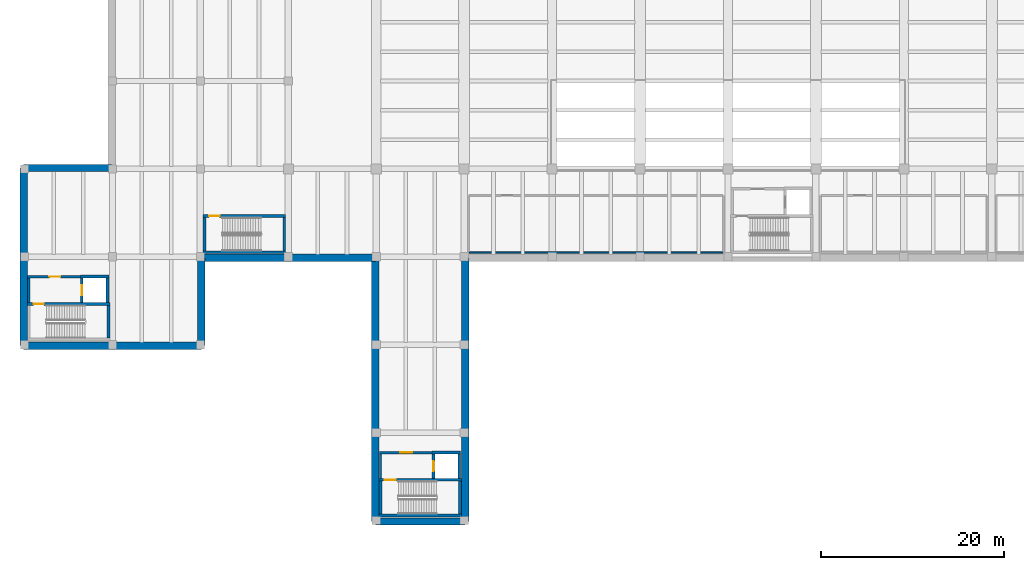
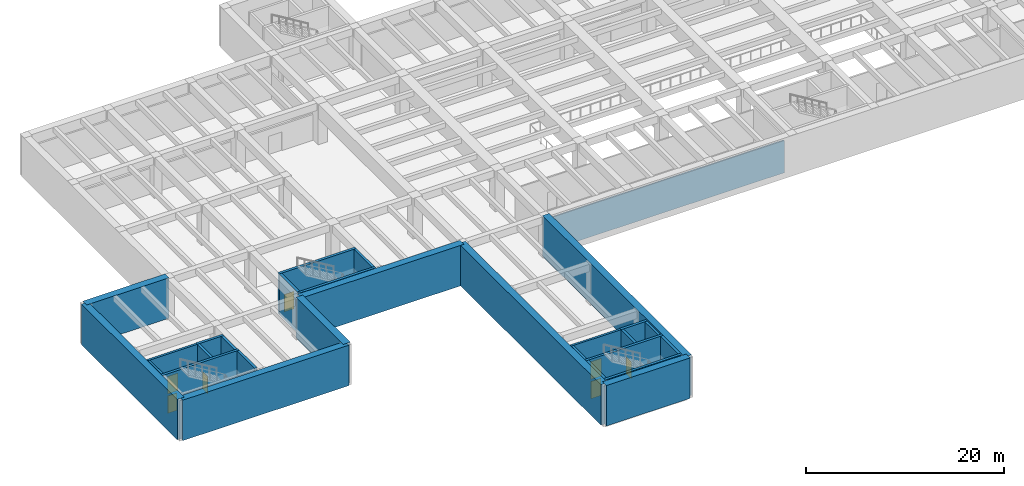
# One storey, part 4 of 19: 29 walls, 7 doors, 7 openings.
"""IFC4 building model written with IfcOpenShell, lengths in metres."""

from ifc_helpers import new_model, si_unit, direction, frame, frame_2d, origin, place, context, subcontext, project, spatial, rectangle, extrude, material, layer, layer_set, type_object, element, fill, save


model = new_model("IFC4")

# Units and contexts
model_context = context("Model", 3, precision=1e-05, world=origin(), true_north=direction((0.0, 1.0)))
body_context = subcontext(model_context, "Body", "Model", "MODEL_VIEW")
ifc_project = project(units=[si_unit("LENGTHUNIT", "METRE"), si_unit("AREAUNIT", "SQUARE_METRE"), si_unit("VOLUMEUNIT", "CUBIC_METRE"), si_unit("PLANEANGLEUNIT", "RADIAN"), si_unit("MASSUNIT", "GRAM", prefix="KILO")], contexts=[model_context])

# Site, building, storey
site_placement = place(None, origin())
site = spatial("IfcSite", under=ifc_project, at=site_placement, CompositionType="ELEMENT")
building_placement = place(site_placement, origin())
building = spatial("IfcBuilding", under=site, at=building_placement, Name="Coralgate Yard Interchange", CompositionType="ELEMENT")
storey_placement = place(building_placement, frame((0.0, 0.0, -5.39990234375)))
storey = spatial("IfcBuildingStorey", under=building, at=storey_placement, Name="B1", CompositionType="ELEMENT", Elevation=-5.39990234375)

# Wall, opening, door
ifc_material_1 = material(Name="Concrete C40/50", Category="concrete")
ifc_layer_1 = layer(ifc_material_1, 0.300048828125)
ifc_layer_set_1 = layer_set([ifc_layer_1], Name="Concrete C40/50")
wall_type_1 = type_object("IfcWallType", Name="WAL-CW300", PredefinedType="SHEAR", material=ifc_layer_set_1)
wall_1_placement = place(storey_placement, frame((18.89990234375, 33.25, 0.0), z_axis=(0.0, 0.0, 1.0), x_axis=(-1.0, 0.0, 0.0)))
wall_1 = element("IfcWall", 1, at=wall_1_placement, inside=storey, type_object=wall_type_1, Name="C1 B1 stair north shear wall", PredefinedType="SHEAR", context=body_context, shape_type="SweptSolid", body=[
    extrude(rectangle(XDim=9.0, YDim=0.300048828125, at=frame_2d((4.5, 0.0))), origin(), (0.0, 0.0, 1.0), 5.0),
])
opening_1_placement = place(wall_1_placement, frame((7.199951171875, 0.0, 0.0)))
opening_1 = element("IfcOpeningElement", 2, at=opening_1_placement, cuts=wall_1, Name="Opening FD-1", PredefinedType="OPENING", context=body_context, shape_type="SweptSolid", body=[
    extrude(rectangle(XDim=1.10009765625, YDim=2.14990234375, at=frame_2d((0.550048828125, 1.074951171875))), frame((0.0, 0.159912109375, 0.0), z_axis=(0.0, -1.0, 0.0), x_axis=(1.0, 0.0, 0.0)), (0.0, 0.0, 1.0), 0.320068359375),
])
ifc_material_2 = material(Name="Powder-coated steel fire door assembly", Category="steel")
door_type_1 = type_object("IfcDoorType", Name="DOR-FD-1", OperationType="NOTDEFINED", PredefinedType="DOOR", material=ifc_material_2)
door_1_placement = place(opening_1_placement, frame((1.10009765625, 0.0, 0.0), z_axis=(0.0, 0.0, 1.0), x_axis=(-1.0, 0.0, 0.0)))
door_1 = element("IfcDoor", 3, at=door_1_placement, inside=storey, type_object=door_type_1, Name="C1 B1 stair fire door", OperationType="SINGLE_SWING_RIGHT", OverallHeight=2.14990234375, OverallWidth=1.10009765625, PredefinedType="DOOR", context=body_context, shape_type="SweptSolid", body=[
    extrude(rectangle(XDim=1.10009765625, YDim=2.14990234375, at=frame_2d((0.550048828125, 1.074951171875))), frame((0.0, 0.02490234375, 0.0), z_axis=(0.0, -1.0, 0.0), x_axis=(1.0, 0.0, 0.0)), (0.0, 0.0, 1.0), 0.050048828125),
])
fill(opening_1, door_1)

# Wall
wall_2_placement = place(storey_placement, frame((18.75, 33.10009765625, 0.0), z_axis=(0.0, 0.0, 1.0), x_axis=(0.0, -1.0, 0.0)))
element("IfcWall", 4, at=wall_2_placement, inside=storey, type_object=wall_type_1, Name="C1 B1 stair east shear wall", PredefinedType="SHEAR", context=body_context, shape_type="SweptSolid", body=[
    extrude(rectangle(XDim=3.580078125, YDim=0.300048828125, at=frame_2d((1.7900390625, 0.0))), origin(), (0.0, 0.0, 1.0), 5.0),
])

# Wall, opening, door
wall_3_placement = place(storey_placement, frame((15.85009765625, 36.10009765625, 0.0), z_axis=(0.0, 0.0, 1.0), x_axis=(0.0, -1.0, 0.0)))
wall_3 = element("IfcWall", 5, at=wall_3_placement, inside=storey, type_object=wall_type_1, Name="C1 B1 lift front shear wall", PredefinedType="SHEAR", context=body_context, shape_type="SweptSolid", body=[
    extrude(rectangle(XDim=2.7001953125, YDim=0.300048828125, at=frame_2d((1.35009765625, 0.0))), origin(), (0.0, 0.0, 1.0), 5.0),
])
opening_2_placement = place(wall_3_placement, frame((0.800048828125, 0.0, 0.0)))
opening_2 = element("IfcOpeningElement", 6, at=opening_2_placement, cuts=wall_3, Name="Opening LD-1", PredefinedType="OPENING", context=body_context, shape_type="SweptSolid", body=[
    extrude(rectangle(XDim=1.10009765625, YDim=2.10009765625, at=frame_2d((0.550048828125, 1.050048828125))), frame((0.0, 0.159912109375, 0.0), z_axis=(0.0, -1.0, 0.0), x_axis=(1.0, 0.0, 0.0)), (0.0, 0.0, 1.0), 0.320068359375),
])
ifc_material_3 = material(Name="Brushed stainless steel firefighting lift landing door", Category="steel")
door_type_2 = type_object("IfcDoorType", Name="DOR-LD-1", OperationType="DOUBLE_DOOR_SLIDING", PredefinedType="DOOR", material=ifc_material_3)
door_2_placement = place(opening_2_placement, frame((1.10009765625, 0.0, 0.0), z_axis=(0.0, 0.0, 1.0), x_axis=(-1.0, 0.0, 0.0)))
door_2 = element("IfcDoor", 7, at=door_2_placement, inside=storey, type_object=door_type_2, Name="FFL-01 B1 sliding lift landing door", OperationType="DOUBLE_DOOR_SLIDING", OverallHeight=2.10009765625, OverallWidth=1.10009765625, PredefinedType="DOOR", context=body_context, shape_type="SweptSolid", body=[
    extrude(rectangle(XDim=1.10009765625, YDim=2.10009765625, at=frame_2d((0.550048828125, 1.050048828125))), frame((0.0, 0.02490234375, 0.0), z_axis=(0.0, -1.0, 0.0), x_axis=(1.0, 0.0, 0.0)), (0.0, 0.0, 1.0), 0.050048828125),
])
fill(opening_2, door_2)

# Walls
wall_4_placement = place(storey_placement, frame((18.64990234375, 33.39990234375, 0.0), z_axis=(0.0, 0.0, 1.0), x_axis=(0.0, 1.0, 0.0)))
element("IfcWall", 8, at=wall_4_placement, inside=storey, type_object=wall_type_1, Name="C1 B1 lift rear shear wall", PredefinedType="SHEAR", context=body_context, shape_type="SweptSolid", body=[
    extrude(rectangle(XDim=2.7001953125, YDim=0.300048828125, at=frame_2d((1.35009765625, 0.0))), origin(), (0.0, 0.0, 1.0), 5.0),
])
wall_5_placement = place(storey_placement, frame((15.699951171875, 36.25, 0.0), z_axis=(0.0, 0.0, 1.0), x_axis=(1.0, 0.0, 0.0)))
element("IfcWall", 9, at=wall_5_placement, inside=storey, type_object=wall_type_1, Name="C1 B1 lift north shear wall", PredefinedType="SHEAR", context=body_context, shape_type="SweptSolid", body=[
    extrude(rectangle(XDim=3.10009765625, YDim=0.300048828125, at=frame_2d((1.550048828125, 0.0))), origin(), (0.0, 0.0, 1.0), 5.0),
])
wall_6_placement = place(storey_placement, frame((29.10009765625, 38.89990234375, 0.0), z_axis=(0.0, 0.0, 1.0), x_axis=(1.0, 0.0, 0.0)))
element("IfcWall", 10, at=wall_6_placement, inside=storey, type_object=wall_type_1, Name="C12 B1 stair south shear wall", PredefinedType="SHEAR", context=body_context, shape_type="SweptSolid", body=[
    extrude(rectangle(XDim=9.0, YDim=0.300048828125, at=frame_2d((4.5, 0.0))), origin(), (0.0, 0.0, 1.0), 5.0),
])

# Wall, opening, door
wall_7_placement = place(storey_placement, frame((38.10009765625, 42.85009765625, 0.0), z_axis=(0.0, 0.0, 1.0), x_axis=(-1.0, 0.0, 0.0)))
wall_7 = element("IfcWall", 11, at=wall_7_placement, inside=storey, type_object=wall_type_1, Name="C12 B1 stair north shear wall", PredefinedType="SHEAR", context=body_context, shape_type="SweptSolid", body=[
    extrude(rectangle(XDim=9.0, YDim=0.300048828125, at=frame_2d((4.5, 0.0))), origin(), (0.0, 0.0, 1.0), 5.0),
])
opening_3_placement = place(wall_7_placement, frame((7.199951171875, 0.0, 0.0)))
opening_3 = element("IfcOpeningElement", 12, at=opening_3_placement, cuts=wall_7, Name="Opening FD-1B", PredefinedType="OPENING", context=body_context, shape_type="SweptSolid", body=[
    extrude(rectangle(XDim=1.14990234375, YDim=2.14990234375, at=frame_2d((0.574951171875, 1.074951171875))), frame((0.0, 0.159912109375, 0.0), z_axis=(0.0, -1.0, 0.0), x_axis=(1.0, 0.0, 0.0)), (0.0, 0.0, 1.0), 0.320068359375),
])
door_type_3 = type_object("IfcDoorType", Name="DOR-FD-1B", OperationType="NOTDEFINED", PredefinedType="DOOR", material=ifc_material_2)
door_3_placement = place(opening_3_placement, frame((1.14990234375, 0.0, 0.0), z_axis=(0.0, 0.0, 1.0), x_axis=(-1.0, 0.0, 0.0)))
door_3 = element("IfcDoor", 13, at=door_3_placement, inside=storey, type_object=door_type_3, Name="C12 B1 stair fire door", OperationType="SINGLE_SWING_LEFT", OverallHeight=2.14990234375, OverallWidth=1.14990234375, PredefinedType="DOOR", context=body_context, shape_type="SweptSolid", body=[
    extrude(rectangle(XDim=1.14990234375, YDim=2.14990234375, at=frame_2d((0.574951171875, 1.074951171875))), frame((0.0, 0.02490234375, 0.0), z_axis=(0.0, -1.0, 0.0), x_axis=(1.0, 0.0, 0.0)), (0.0, 0.0, 1.0), 0.050048828125),
])
fill(opening_3, door_3)

# Walls
for number, where, z_axis, x_axis, name in (
    (14, (29.25, 39.050048828125, 0.0), (0.0, 0.0, 1.0), (0.0, 1.0, 0.0), "C12 B1 stair west shear wall"),
    (15, (37.949951171875, 42.699951171875, 0.0), (0.0, 0.0, 1.0), (0.0, -1.0, 0.0), "C12 B1 stair east shear wall"),
):
    element("IfcWall", number, at=place(storey_placement, frame(where, z_axis=z_axis, x_axis=x_axis)), inside=storey, type_object=wall_type_1, Name=name, PredefinedType="SHEAR", context=body_context, shape_type="SweptSolid", body=[
        extrude(rectangle(XDim=3.64990234375, YDim=0.300048828125, at=frame_2d((1.824951171875, 0.0))), origin(), (0.0, 0.0, 1.0), 5.0),
    ])
wall_8_placement = place(storey_placement, frame((48.300048828125, 10.169921875, 0.0), z_axis=(0.0, 0.0, 1.0), x_axis=(1.0, 0.0, 0.0)))
element("IfcWall", 16, at=wall_8_placement, inside=storey, type_object=wall_type_1, Name="C2 B1 stair south shear wall", PredefinedType="SHEAR", context=body_context, shape_type="SweptSolid", body=[
    extrude(rectangle(XDim=9.0, YDim=0.300048828125, at=frame_2d((4.5, 0.0))), origin(), (0.0, 0.0, 1.0), 5.0),
])

# Wall, opening, door
wall_9_placement = place(storey_placement, frame((57.300048828125, 14.050048828125, 0.0), z_axis=(0.0, 0.0, 1.0), x_axis=(-1.0, 0.0, 0.0)))
wall_9 = element("IfcWall", 17, at=wall_9_placement, inside=storey, type_object=wall_type_1, Name="C2 B1 stair north shear wall", PredefinedType="SHEAR", context=body_context, shape_type="SweptSolid", body=[
    extrude(rectangle(XDim=9.0, YDim=0.300048828125, at=frame_2d((4.5, 0.0))), origin(), (0.0, 0.0, 1.0), 5.0),
])
opening_4_placement = place(wall_9_placement, frame((7.199951171875, 0.0, 0.0)))
opening_4 = element("IfcOpeningElement", 18, at=opening_4_placement, cuts=wall_9, Name="Opening FD-1B", PredefinedType="OPENING", context=body_context, shape_type="SweptSolid", body=[
    extrude(rectangle(XDim=1.14990234375, YDim=2.14990234375, at=frame_2d((0.574951171875, 1.074951171875))), frame((0.0, 0.159912109375, 0.0), z_axis=(0.0, -1.0, 0.0), x_axis=(1.0, 0.0, 0.0)), (0.0, 0.0, 1.0), 0.320068359375),
])
door_4_placement = place(opening_4_placement, frame((1.14990234375, 0.0, 0.0), z_axis=(0.0, 0.0, 1.0), x_axis=(-1.0, 0.0, 0.0)))
door_4 = element("IfcDoor", 19, at=door_4_placement, inside=storey, type_object=door_type_3, Name="C2 B1 stair fire door", OperationType="SINGLE_SWING_LEFT", OverallHeight=2.14990234375, OverallWidth=1.14990234375, PredefinedType="DOOR", context=body_context, shape_type="SweptSolid", body=[
    extrude(rectangle(XDim=1.14990234375, YDim=2.14990234375, at=frame_2d((0.574951171875, 1.074951171875))), frame((0.0, 0.02490234375, 0.0), z_axis=(0.0, -1.0, 0.0), x_axis=(1.0, 0.0, 0.0)), (0.0, 0.0, 1.0), 0.050048828125),
])
fill(opening_4, door_4)

# Walls
for number, where, z_axis, x_axis, name in (
    (20, (48.449951171875, 10.320068359375, 0.0), (0.0, 0.0, 1.0), (0.0, 1.0, 0.0), "C2 B1 stair west shear wall"),
    (21, (57.14990234375, 13.89990234375, 0.0), (0.0, 0.0, 1.0), (0.0, -1.0, 0.0), "C2 B1 stair east shear wall"),
):
    element("IfcWall", number, at=place(storey_placement, frame(where, z_axis=z_axis, x_axis=x_axis)), inside=storey, type_object=wall_type_1, Name=name, PredefinedType="SHEAR", context=body_context, shape_type="SweptSolid", body=[
        extrude(rectangle(XDim=3.579833984375, YDim=0.300048828125, at=frame_2d((1.7900390625, 0.0))), origin(), (0.0, 0.0, 1.0), 5.0),
    ])

# Wall, opening, door
wall_10_placement = place(storey_placement, frame((54.25, 16.89990234375, 0.0), z_axis=(0.0, 0.0, 1.0), x_axis=(0.0, -1.0, 0.0)))
wall_10 = element("IfcWall", 22, at=wall_10_placement, inside=storey, type_object=wall_type_1, Name="C2 B1 lift front shear wall", PredefinedType="SHEAR", context=body_context, shape_type="SweptSolid", body=[
    extrude(rectangle(XDim=2.699951171875, YDim=0.300048828125, at=frame_2d((1.35009765625, 0.0))), origin(), (0.0, 0.0, 1.0), 5.0),
])
opening_5_placement = place(wall_10_placement, frame((0.800048828125, 0.0, 0.0)))
opening_5 = element("IfcOpeningElement", 23, at=opening_5_placement, cuts=wall_10, Name="Opening LD-1", PredefinedType="OPENING", context=body_context, shape_type="SweptSolid", body=[
    extrude(rectangle(XDim=1.10009765625, YDim=2.10009765625, at=frame_2d((0.550048828125, 1.050048828125))), frame((0.0, 0.159912109375, 0.0), z_axis=(0.0, -1.0, 0.0), x_axis=(1.0, 0.0, 0.0)), (0.0, 0.0, 1.0), 0.320068359375),
])
door_5_placement = place(opening_5_placement, frame((1.10009765625, 0.0, 0.0), z_axis=(0.0, 0.0, 1.0), x_axis=(-1.0, 0.0, 0.0)))
door_5 = element("IfcDoor", 24, at=door_5_placement, inside=storey, type_object=door_type_2, Name="FFL-02 B1 sliding lift landing door", OperationType="DOUBLE_DOOR_SLIDING", OverallHeight=2.10009765625, OverallWidth=1.10009765625, PredefinedType="DOOR", context=body_context, shape_type="SweptSolid", body=[
    extrude(rectangle(XDim=1.10009765625, YDim=2.10009765625, at=frame_2d((0.550048828125, 1.050048828125))), frame((0.0, 0.02490234375, 0.0), z_axis=(0.0, -1.0, 0.0), x_axis=(1.0, 0.0, 0.0)), (0.0, 0.0, 1.0), 0.050048828125),
])
fill(opening_5, door_5)

# Walls
wall_11_placement = place(storey_placement, frame((57.050048828125, 14.199951171875, 0.0), z_axis=(0.0, 0.0, 1.0), x_axis=(0.0, 1.0, 0.0)))
element("IfcWall", 25, at=wall_11_placement, inside=storey, type_object=wall_type_1, Name="C2 B1 lift rear shear wall", PredefinedType="SHEAR", context=body_context, shape_type="SweptSolid", body=[
    extrude(rectangle(XDim=2.699951171875, YDim=0.300048828125, at=frame_2d((1.35009765625, 0.0))), origin(), (0.0, 0.0, 1.0), 5.0),
])
wall_12_placement = place(storey_placement, frame((54.10009765625, 17.050048828125, 0.0), z_axis=(0.0, 0.0, 1.0), x_axis=(1.0, 0.0, 0.0)))
element("IfcWall", 26, at=wall_12_placement, inside=storey, type_object=wall_type_1, Name="C2 B1 lift north shear wall", PredefinedType="SHEAR", context=body_context, shape_type="SweptSolid", body=[
    extrude(rectangle(XDim=3.099853515625, YDim=0.300048828125, at=frame_2d((1.5498046875, 0.0))), origin(), (0.0, 0.0, 1.0), 5.0),
])
ifc_layer_2 = layer(ifc_material_1, 0.800048828125)
ifc_layer_set_2 = layer_set([ifc_layer_2], Name="Concrete C40/50")
wall_type_2 = type_object("IfcWallType", Name="WAL-DW800", PredefinedType="SOLIDWALL", material=ifc_layer_set_2)
wall_13_placement = place(storey_placement, frame((47.89990234375, 38.300048828125, 0.0), z_axis=(0.0, 0.0, 1.0), x_axis=(-1.0, 0.0, 0.0)))
element("IfcWall", 27, at=wall_13_placement, inside=storey, type_object=wall_type_2, Name="B1 diaphragm retaining wall 1", PredefinedType="SOLIDWALL", context=body_context, shape_type="SweptSolid", body=[
    extrude(rectangle(XDim=19.0, YDim=0.800048828125, at=frame_2d((9.5, 0.0))), origin(), (0.0, 0.0, 1.0), 5.0),
])
wall_14_placement = place(storey_placement, frame((28.89990234375, 38.300048828125, 0.0), z_axis=(0.0, 0.0, 1.0), x_axis=(0.0, -1.0, 0.0)))
element("IfcWall", 28, at=wall_14_placement, inside=storey, type_object=wall_type_2, Name="B1 diaphragm retaining wall 2", PredefinedType="SOLIDWALL", context=body_context, shape_type="SweptSolid", body=[
    extrude(rectangle(XDim=9.60009765625, YDim=0.800048828125, at=frame_2d((4.800048828125, 0.0))), origin(), (0.0, 0.0, 1.0), 5.0),
])
wall_15_placement = place(storey_placement, frame((28.89990234375, 28.699951171875, 0.0), z_axis=(0.0, 0.0, 1.0), x_axis=(-1.0, 0.0, 0.0)))
element("IfcWall", 29, at=wall_15_placement, inside=storey, type_object=wall_type_2, Name="B1 diaphragm retaining wall 3", PredefinedType="SOLIDWALL", context=body_context, shape_type="SweptSolid", body=[
    extrude(rectangle(XDim=19.39990234375, YDim=0.800048828125, at=frame_2d((9.699951171875, 0.0))), origin(), (0.0, 0.0, 1.0), 5.0),
])
wall_16_placement = place(storey_placement, frame((9.5, 28.699951171875, 0.0), z_axis=(0.0, 0.0, 1.0), x_axis=(0.0, 1.0, 0.0)))
element("IfcWall", 30, at=wall_16_placement, inside=storey, type_object=wall_type_2, Name="B1 diaphragm retaining wall 4", PredefinedType="SOLIDWALL", context=body_context, shape_type="SweptSolid", body=[
    extrude(rectangle(XDim=19.400146484375, YDim=0.800048828125, at=frame_2d((9.7001953125, 0.0))), origin(), (0.0, 0.0, 1.0), 5.0),
])
wall_17_placement = place(storey_placement, frame((9.5, 48.10009765625, 0.0), z_axis=(0.0, 0.0, 1.0), x_axis=(1.0, 0.0, 0.0)))
element("IfcWall", 31, at=wall_17_placement, inside=storey, type_object=wall_type_2, Name="B1 diaphragm retaining wall 5", PredefinedType="SOLIDWALL", context=body_context, shape_type="SweptSolid", body=[
    extrude(rectangle(XDim=9.60009765625, YDim=0.800048828125, at=frame_2d((4.800048828125, 0.0))), origin(), (0.0, 0.0, 1.0), 5.0),
])
wall_18_placement = place(storey_placement, frame((57.699951171875, 38.300048828125, 0.0), z_axis=(0.0, 0.0, 1.0), x_axis=(0.0, -1.0, 0.0)))
element("IfcWall", 32, at=wall_18_placement, inside=storey, type_object=wall_type_2, Name="B1 diaphragm retaining wall 14", PredefinedType="SOLIDWALL", context=body_context, shape_type="SweptSolid", body=[
    extrude(rectangle(XDim=28.800048828125, YDim=0.800048828125, at=frame_2d((14.39990234375, 0.0))), origin(), (0.0, 0.0, 1.0), 5.0),
])
wall_19_placement = place(storey_placement, frame((57.699951171875, 9.5, 0.0), z_axis=(0.0, 0.0, 1.0), x_axis=(-1.0, 0.0, 0.0)))
element("IfcWall", 33, at=wall_19_placement, inside=storey, type_object=wall_type_2, Name="B1 diaphragm retaining wall 15", PredefinedType="SOLIDWALL", context=body_context, shape_type="SweptSolid", body=[
    extrude(rectangle(XDim=9.800048828125, YDim=0.800048828125, at=frame_2d((4.89990234375, 0.0))), origin(), (0.0, 0.0, 1.0), 5.0),
])
wall_20_placement = place(storey_placement, frame((47.89990234375, 9.5, 0.0), z_axis=(0.0, 0.0, 1.0), x_axis=(0.0, 1.0, 0.0)))
element("IfcWall", 34, at=wall_20_placement, inside=storey, type_object=wall_type_2, Name="B1 diaphragm retaining wall 16", PredefinedType="SOLIDWALL", context=body_context, shape_type="SweptSolid", body=[
    extrude(rectangle(XDim=28.800048828125, YDim=0.800048828125, at=frame_2d((14.39990234375, 0.0))), origin(), (0.0, 0.0, 1.0), 5.0),
])
ifc_material_4 = material(Name="Fire-rated twin-stud gypsum partition")
ifc_layer_3 = layer(ifc_material_4, 0.159912109375)
ifc_layer_set_3 = layer_set([ifc_layer_3], Name="Fire-rated twin-stud gypsum partition")
wall_type_3 = type_object("IfcWallType", Name="WAL-PW-160", PredefinedType="PARTITIONING", material=ifc_layer_set_3)
wall_21_placement = place(storey_placement, frame((85.840087890625, 38.8798828125, 0.0), z_axis=(0.0, 0.0, 1.0), x_axis=(-1.0, 0.0, 0.0)))
element("IfcWall", 35, at=wall_21_placement, inside=storey, type_object=wall_type_3, Name="Fare Gateline Control Office partition S", PredefinedType="PARTITIONING", context=body_context, shape_type="SweptSolid", body=[
    extrude(rectangle(XDim=27.68017578125, YDim=0.159912109375, at=frame_2d((13.840087890625, 0.0))), origin(), (0.0, 0.0, 1.0), 3.989990234375),
])

# Wall, opening, door
ifc_layer_4 = layer(ifc_material_1, 0.25)
ifc_layer_set_4 = layer_set([ifc_layer_4], Name="Concrete C40/50")
wall_type_4 = type_object("IfcWallType", Name="WAL-SW250", PredefinedType="SHEAR", material=ifc_layer_set_4)
wall_22_placement = place(storey_placement, frame((15.699951171875, 36.22509765625, 0.0), z_axis=(0.0, 0.0, 1.0), x_axis=(-1.0, 0.0, 0.0)))
wall_22 = element("IfcWall", 36, at=wall_22_placement, inside=storey, type_object=wall_type_4, Name="C1 B1 lobby north fire wall", PredefinedType="SHEAR", context=body_context, shape_type="SweptSolid", body=[
    extrude(rectangle(XDim=5.77490234375, YDim=0.25, at=frame_2d((2.887451171875, 0.0))), origin(), (0.0, 0.0, 1.0), 5.0),
])
opening_6_placement = place(wall_22_placement, frame((2.199951171875, 0.0, 0.0)))
opening_6 = element("IfcOpeningElement", 37, at=opening_6_placement, cuts=wall_22, Name="Opening FD-2", PredefinedType="OPENING", context=body_context, shape_type="SweptSolid", body=[
    extrude(rectangle(XDim=1.199951171875, YDim=2.14990234375, at=frame_2d((0.60009765625, 1.074951171875))), frame((0.0, 0.135009765625, 0.0), z_axis=(0.0, -1.0, 0.0), x_axis=(1.0, 0.0, 0.0)), (0.0, 0.0, 1.0), 0.27001953125),
])
door_type_4 = type_object("IfcDoorType", Name="DOR-FD-2", OperationType="NOTDEFINED", PredefinedType="DOOR", material=ifc_material_2)
door_6_placement = place(opening_6_placement, origin())
door_6 = element("IfcDoor", 38, at=door_6_placement, inside=storey, type_object=door_type_4, Name="C1 B1 lobby fire door", OperationType="SINGLE_SWING_LEFT", OverallHeight=2.14990234375, OverallWidth=1.199951171875, PredefinedType="DOOR", context=body_context, shape_type="SweptSolid", body=[
    extrude(rectangle(XDim=1.199951171875, YDim=2.14990234375, at=frame_2d((0.60009765625, 1.074951171875))), frame((0.0, 0.02490234375, 0.0), z_axis=(0.0, -1.0, 0.0), x_axis=(1.0, 0.0, 0.0)), (0.0, 0.0, 1.0), 0.050048828125),
])
fill(opening_6, door_6)

# Wall
wall_23_placement = place(storey_placement, frame((10.050048828125, 33.39990234375, 0.0), z_axis=(0.0, 0.0, 1.0), x_axis=(0.0, 1.0, 0.0)))
element("IfcWall", 39, at=wall_23_placement, inside=storey, type_object=wall_type_4, Name="C1 B1 lobby west fire wall", PredefinedType="SHEAR", context=body_context, shape_type="SweptSolid", body=[
    extrude(rectangle(XDim=2.7001953125, YDim=0.25, at=frame_2d((1.35009765625, 0.0))), origin(), (0.0, 0.0, 1.0), 5.0),
])

# Wall, opening, door
wall_24_placement = place(storey_placement, frame((54.10009765625, 17.02490234375, 0.0), z_axis=(0.0, 0.0, 1.0), x_axis=(-1.0, 0.0, 0.0)))
wall_24 = element("IfcWall", 40, at=wall_24_placement, inside=storey, type_object=wall_type_4, Name="C2 B1 lobby north fire wall", PredefinedType="SHEAR", context=body_context, shape_type="SweptSolid", body=[
    extrude(rectangle(XDim=5.775146484375, YDim=0.25, at=frame_2d((2.8876953125, 0.0))), origin(), (0.0, 0.0, 1.0), 5.0),
])
opening_7_placement = place(wall_24_placement, frame((2.199951171875, 0.0, 0.0)))
opening_7 = element("IfcOpeningElement", 41, at=opening_7_placement, cuts=wall_24, Name="Opening FD-2B", PredefinedType="OPENING", context=body_context, shape_type="SweptSolid", body=[
    extrude(rectangle(XDim=1.280029296875, YDim=2.199951171875, at=frame_2d((0.64013671875, 1.10009765625))), frame((0.0, 0.135009765625, 0.0), z_axis=(0.0, -1.0, 0.0), x_axis=(1.0, 0.0, 0.0)), (0.0, 0.0, 1.0), 0.27001953125),
])
door_type_5 = type_object("IfcDoorType", Name="DOR-FD-2B", OperationType="NOTDEFINED", PredefinedType="DOOR", material=ifc_material_2)
door_7_placement = place(opening_7_placement, origin())
door_7 = element("IfcDoor", 42, at=door_7_placement, inside=storey, type_object=door_type_5, Name="C2 B1 lobby fire door", OperationType="SINGLE_SWING_RIGHT", OverallHeight=2.199951171875, OverallWidth=1.280029296875, PredefinedType="DOOR", context=body_context, shape_type="SweptSolid", body=[
    extrude(rectangle(XDim=1.280029296875, YDim=2.199951171875, at=frame_2d((0.64013671875, 1.10009765625))), frame((0.0, 0.02490234375, 0.0), z_axis=(0.0, -1.0, 0.0), x_axis=(1.0, 0.0, 0.0)), (0.0, 0.0, 1.0), 0.050048828125),
])
fill(opening_7, door_7)

# Wall
wall_25_placement = place(storey_placement, frame((48.449951171875, 14.199951171875, 0.0), z_axis=(0.0, 0.0, 1.0), x_axis=(0.0, 1.0, 0.0)))
element("IfcWall", 43, at=wall_25_placement, inside=storey, type_object=wall_type_4, Name="C2 B1 lobby west fire wall", PredefinedType="SHEAR", context=body_context, shape_type="SweptSolid", body=[
    extrude(rectangle(XDim=2.699951171875, YDim=0.25, at=frame_2d((1.35009765625, 0.0))), origin(), (0.0, 0.0, 1.0), 5.0),
])

save(model, "model.ifc")
